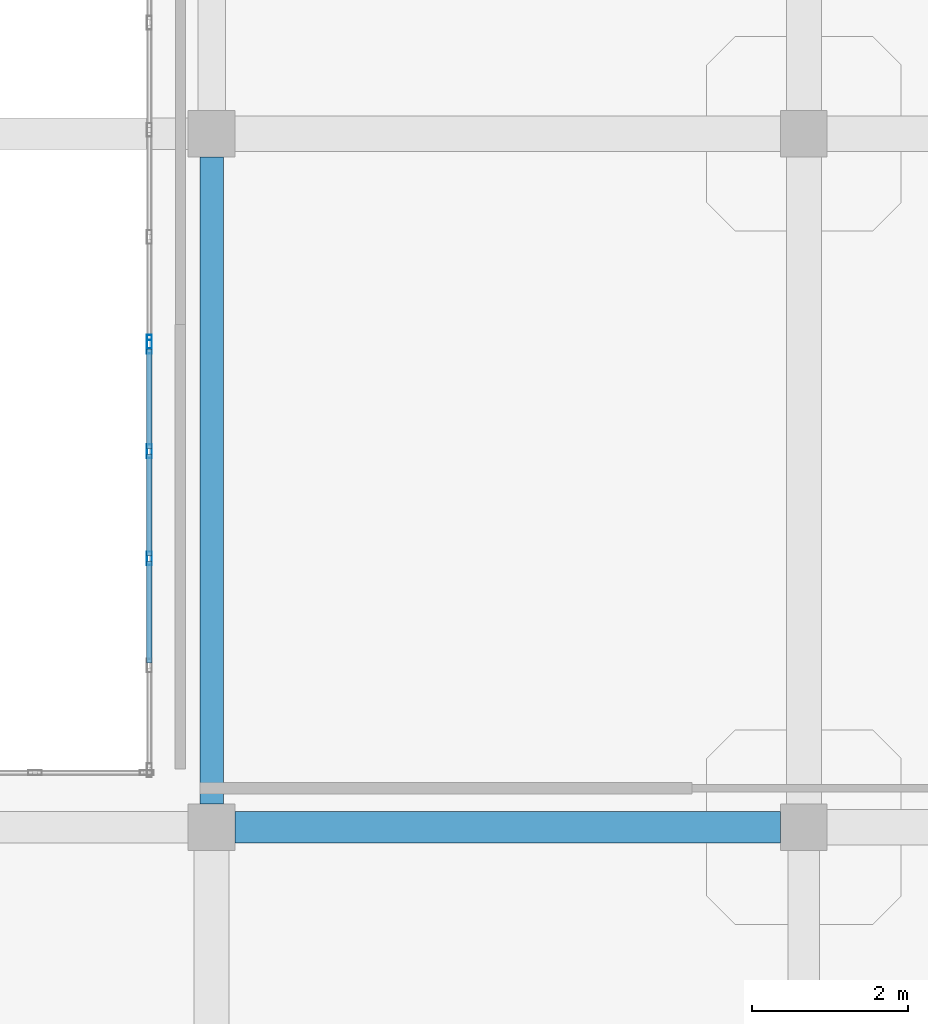
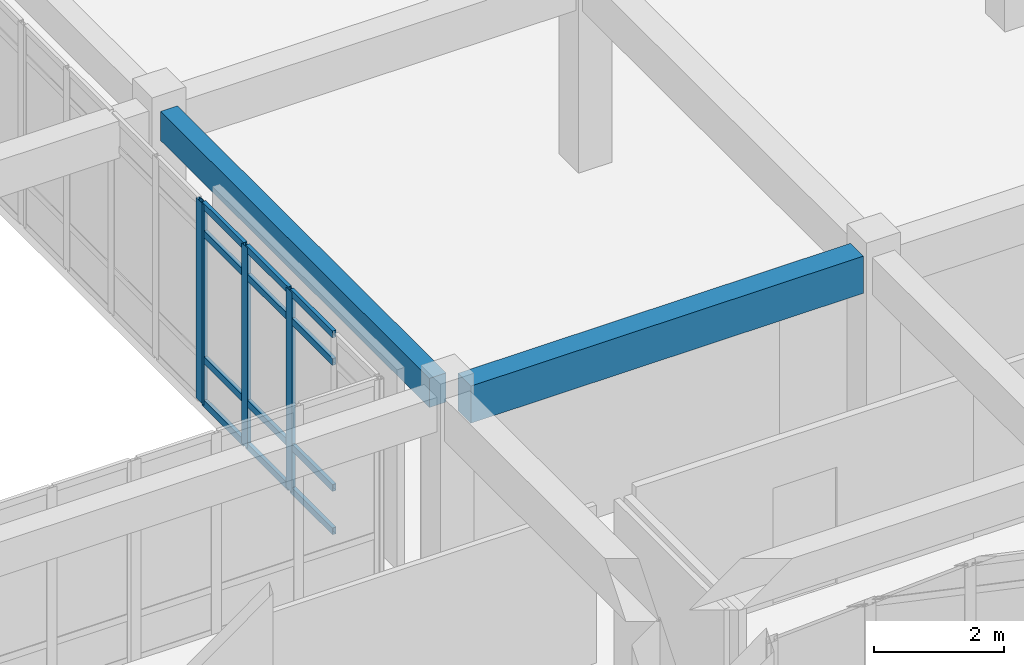
# One storey, part 49 of 91: 16 members, 2 beams, 2 elements without a shape of their own.
"""IFC4 building model written with IfcOpenShell, lengths in metres."""

from ifc_helpers import new_model, si_unit, direction, frame, origin, origin_2d, place, context, subcontext, project, spatial, rectangle, hollow_rectangle, extrude, material, layer, layer_set, material_profile, profile_set, type_object, element, aggregate, save


model = new_model("IFC4")

# Units and contexts
model_context = context("Model", 3, precision=1e-05, world=origin(), true_north=direction((0.0, 1.0)))
body_context = subcontext(model_context, "Body", "Model", "MODEL_VIEW")
ifc_project = project(units=[si_unit("LENGTHUNIT", "METRE"), si_unit("AREAUNIT", "SQUARE_METRE"), si_unit("VOLUMEUNIT", "CUBIC_METRE"), si_unit("PLANEANGLEUNIT", "RADIAN"), si_unit("MASSUNIT", "GRAM", prefix="KILO")], contexts=[model_context])

# Site, building, storey
site_placement = place(None, origin())
site = spatial("IfcSite", under=ifc_project, at=site_placement, CompositionType="ELEMENT")
building_placement = place(site_placement, origin())
building = spatial("IfcBuilding", under=site, at=building_placement, Name="Valcora Specialist Clinic", CompositionType="ELEMENT")
storey_placement = place(building_placement, frame((0.0, 0.0, 13.60009765625)))
storey = spatial("IfcBuildingStorey", under=building, at=storey_placement, Name="L03", CompositionType="ELEMENT", Elevation=13.60009765625)

# Beams
ifc_material_1 = material(Name="Concrete C40/50", Category="concrete")
ifc_material_profile_1 = material_profile(ifc_material_1, rectangle(XDim=0.300048828125, YDim=0.550048828125, at=origin_2d()), Name="RC-BM-300X550")
ifc_profile_set_1 = profile_set([ifc_material_profile_1], Name="Concrete C40/50")
beam_type_1 = type_object("IfcBeamType", Name="TY-BM-RC300X550", PredefinedType="BEAM", material=ifc_profile_set_1)
beam_1_placement = place(storey_placement, frame((90.800048828125, 81.60009765625, 3.5), z_axis=(0.0, 1.0, 0.0), x_axis=(-1.0, 0.0, 0.0)))
element("IfcBeam", 1, at=beam_1_placement, inside=storey, type_object=beam_type_1, Name="Beam BM-L03-0815", PredefinedType="BEAM", context=body_context, shape_type="SweptSolid", body=[
    extrude(rectangle(XDim=0.300048828125, YDim=0.550048828125, at=origin_2d()), origin(), (0.0, 0.0, 1.0), 8.2998046875),
])
ifc_material_profile_2 = material_profile(ifc_material_1, rectangle(XDim=0.39990234375, YDim=0.699951171875, at=origin_2d()), Name="RC-BM-400X700")
ifc_profile_set_2 = profile_set([ifc_material_profile_2], Name="Concrete C40/50")
beam_type_2 = type_object("IfcBeamType", Name="TY-BM-RC400X700", PredefinedType="BEAM", material=ifc_profile_set_2)
beam_2_placement = place(storey_placement, frame((91.10009765625, 81.300048828125, 3.4248046875), z_axis=(1.0, 0.0, 0.0), x_axis=(0.0, 1.0, 0.0)))
element("IfcBeam", 2, at=beam_2_placement, inside=storey, type_object=beam_type_2, Name="Beam BM-L03-0778", PredefinedType="BEAM", context=body_context, shape_type="SweptSolid", body=[
    extrude(rectangle(XDim=0.39990234375, YDim=0.699951171875, at=origin_2d()), origin(), (0.0, 0.0, 1.0), 7.0),
])

# Curtain wall, members
ifc_material_2 = material(Name="Anodized Bronze Aluminium 6063-T6", Category="aluminium")
ifc_layer = layer(ifc_material_2, 0.175048828125)
ifc_layer_set = layer_set([ifc_layer], Name="Anodized Bronze Aluminium 6063-T6")
curtain_wall_type = type_object("IfcCurtainWallType", Name="TY-CW-CRT15", PredefinedType="NOTDEFINED", material=ifc_layer_set)
curtain_wall_1_placement = place(storey_placement, origin())
curtain_wall_1 = element("IfcCurtainWall", 3, at=curtain_wall_1_placement, inside=storey, type_object=curtain_wall_type, Name="Curtain wall CW-L03-128", PredefinedType="NOTDEFINED")
ifc_material_profile_3 = material_profile(ifc_material_2, hollow_rectangle(XDim=0.06494140625, YDim=0.175048828125, WallThickness=0.00390625, at=origin_2d()), Name="AL-MUL-65X175")
ifc_profile_set_3 = profile_set([ifc_material_profile_3], Name="Anodized Bronze Aluminium 6063-T6")
member_type_1 = type_object("IfcMemberType", Name="TY-CWM-65X175", PredefinedType="MULLION", material=ifc_profile_set_3)
member_1_placement = place(storey_placement, frame((90.0, 84.75, 0.0), z_axis=(0.0, 0.0, 1.0), x_axis=(-1.0, 0.0, 0.0)))
member_1 = element("IfcMember", 4, at=member_1_placement, type_object=member_type_1, Name="CW-CRT-15 mullion 3", PredefinedType="MULLION", context=body_context, shape_type="SweptSolid", body=[
    extrude(hollow_rectangle(XDim=0.06494140625, YDim=0.175048828125, WallThickness=0.00390625, at=origin_2d()), origin(), (0.0, 0.0, 1.0), 3.77490234375),
])
member_2_placement = place(storey_placement, frame((90.0, 86.125, 0.0), z_axis=(0.0, 0.0, 1.0), x_axis=(-1.0, 0.0, 0.0)))
member_2 = element("IfcMember", 5, at=member_2_placement, type_object=member_type_1, Name="CW-CRT-15 mullion 4", PredefinedType="MULLION", context=body_context, shape_type="SweptSolid", body=[
    extrude(hollow_rectangle(XDim=0.06494140625, YDim=0.175048828125, WallThickness=0.00390625, at=origin_2d()), origin(), (0.0, 0.0, 1.0), 3.77490234375),
])
member_3_placement = place(storey_placement, frame((90.0, 87.467529296875, 0.0), z_axis=(0.0, 0.0, 1.0), x_axis=(-1.0, 0.0, 0.0)))
member_3 = element("IfcMember", 6, at=member_3_placement, type_object=member_type_1, Name="CW-CRT-15 mullion 5", PredefinedType="MULLION", context=body_context, shape_type="SweptSolid", body=[
    extrude(hollow_rectangle(XDim=0.06494140625, YDim=0.175048828125, WallThickness=0.00390625, at=origin_2d()), origin(), (0.0, 0.0, 1.0), 3.77490234375),
])

# Curtain wall, member
curtain_wall_2_placement = place(storey_placement, origin())
curtain_wall_2 = element("IfcCurtainWall", 7, at=curtain_wall_2_placement, inside=storey, type_object=curtain_wall_type, Name="Curtain wall CW-L03-129", PredefinedType="NOTDEFINED")
member_4_placement = place(storey_placement, frame((90.0, 87.532470703125, 0.0), z_axis=(0.0, 0.0, 1.0), x_axis=(-1.0, 0.0, 0.0)))
member_4 = element("IfcMember", 8, at=member_4_placement, type_object=member_type_1, Name="CW-CRT-15 mullion 1", PredefinedType="MULLION", context=body_context, shape_type="SweptSolid", body=[
    extrude(hollow_rectangle(XDim=0.06494140625, YDim=0.175048828125, WallThickness=0.00390625, at=origin_2d()), origin(), (0.0, 0.0, 1.0), 3.77490234375),
])
aggregate(curtain_wall_2, [member_4])

# Member
ifc_material_profile_4 = material_profile(ifc_material_2, hollow_rectangle(XDim=0.06494140625, YDim=0.1298828125, WallThickness=0.00390625, at=origin_2d()), Name="AL-TRN-65X130")
ifc_profile_set_4 = profile_set([ifc_material_profile_4], Name="Anodized Bronze Aluminium 6063-T6")
member_type_2 = type_object("IfcMemberType", Name="TY-CWT-65X130", PredefinedType="USERDEFINED", material=ifc_profile_set_4)
member_5_placement = place(storey_placement, frame((90.0, 83.407470703125, 0.032470703125), z_axis=(0.0, 1.0, 0.0), x_axis=(-1.0, 0.0, 0.0)))
member_5 = element("IfcMember", 9, at=member_5_placement, type_object=member_type_2, Name="CW-CRT-15 transom 2.1", ObjectType="TRANSOM", PredefinedType="USERDEFINED", context=body_context, shape_type="SweptSolid", body=[
    extrude(hollow_rectangle(XDim=0.06494140625, YDim=0.1298828125, WallThickness=0.00390625, at=origin_2d()), origin(), (0.0, 0.0, 1.0), 1.31005859375),
])

member_6_placement = place(storey_placement, frame((90.0, 83.407470703125, 0.849853515625), z_axis=(0.0, 1.0, 0.0), x_axis=(-1.0, 0.0, 0.0)))
member_6 = element("IfcMember", 10, at=member_6_placement, type_object=member_type_2, Name="CW-CRT-15 transom 2.2", ObjectType="TRANSOM", PredefinedType="USERDEFINED", context=body_context, shape_type="SweptSolid", body=[
    extrude(hollow_rectangle(XDim=0.06494140625, YDim=0.1298828125, WallThickness=0.00390625, at=origin_2d()), origin(), (0.0, 0.0, 1.0), 1.31005859375),
])

member_7_placement = place(storey_placement, frame((90.0, 83.407470703125, 3.224853515625), z_axis=(0.0, 1.0, 0.0), x_axis=(-1.0, 0.0, 0.0)))
member_7 = element("IfcMember", 11, at=member_7_placement, type_object=member_type_2, Name="CW-CRT-15 transom 2.3", ObjectType="TRANSOM", PredefinedType="USERDEFINED", context=body_context, shape_type="SweptSolid", body=[
    extrude(hollow_rectangle(XDim=0.06494140625, YDim=0.1298828125, WallThickness=0.00390625, at=origin_2d()), origin(), (0.0, 0.0, 1.0), 1.31005859375),
])

member_8_placement = place(storey_placement, frame((90.0, 83.407470703125, 3.742431640625), z_axis=(0.0, 1.0, 0.0), x_axis=(-1.0, 0.0, 0.0)))
member_8 = element("IfcMember", 12, at=member_8_placement, type_object=member_type_2, Name="CW-CRT-15 transom 2.4", ObjectType="TRANSOM", PredefinedType="USERDEFINED", context=body_context, shape_type="SweptSolid", body=[
    extrude(hollow_rectangle(XDim=0.06494140625, YDim=0.1298828125, WallThickness=0.00390625, at=origin_2d()), origin(), (0.0, 0.0, 1.0), 1.31005859375),
])

member_9_placement = place(storey_placement, frame((90.0, 84.782470703125, 0.032470703125), z_axis=(0.0, 1.0, 0.0), x_axis=(-1.0, 0.0, 0.0)))
member_9 = element("IfcMember", 13, at=member_9_placement, type_object=member_type_2, Name="CW-CRT-15 transom 3.1", ObjectType="TRANSOM", PredefinedType="USERDEFINED", context=body_context, shape_type="SweptSolid", body=[
    extrude(hollow_rectangle(XDim=0.06494140625, YDim=0.1298828125, WallThickness=0.00390625, at=origin_2d()), origin(), (0.0, 0.0, 1.0), 1.31005859375),
])

member_10_placement = place(storey_placement, frame((90.0, 84.782470703125, 0.849853515625), z_axis=(0.0, 1.0, 0.0), x_axis=(-1.0, 0.0, 0.0)))
member_10 = element("IfcMember", 14, at=member_10_placement, type_object=member_type_2, Name="CW-CRT-15 transom 3.2", ObjectType="TRANSOM", PredefinedType="USERDEFINED", context=body_context, shape_type="SweptSolid", body=[
    extrude(hollow_rectangle(XDim=0.06494140625, YDim=0.1298828125, WallThickness=0.00390625, at=origin_2d()), origin(), (0.0, 0.0, 1.0), 1.31005859375),
])

member_11_placement = place(storey_placement, frame((90.0, 84.782470703125, 3.224853515625), z_axis=(0.0, 1.0, 0.0), x_axis=(-1.0, 0.0, 0.0)))
member_11 = element("IfcMember", 15, at=member_11_placement, type_object=member_type_2, Name="CW-CRT-15 transom 3.3", ObjectType="TRANSOM", PredefinedType="USERDEFINED", context=body_context, shape_type="SweptSolid", body=[
    extrude(hollow_rectangle(XDim=0.06494140625, YDim=0.1298828125, WallThickness=0.00390625, at=origin_2d()), origin(), (0.0, 0.0, 1.0), 1.31005859375),
])

member_12_placement = place(storey_placement, frame((90.0, 84.782470703125, 3.742431640625), z_axis=(0.0, 1.0, 0.0), x_axis=(-1.0, 0.0, 0.0)))
member_12 = element("IfcMember", 16, at=member_12_placement, type_object=member_type_2, Name="CW-CRT-15 transom 3.4", ObjectType="TRANSOM", PredefinedType="USERDEFINED", context=body_context, shape_type="SweptSolid", body=[
    extrude(hollow_rectangle(XDim=0.06494140625, YDim=0.1298828125, WallThickness=0.00390625, at=origin_2d()), origin(), (0.0, 0.0, 1.0), 1.31005859375),
])

member_13_placement = place(storey_placement, frame((90.0, 86.157470703125, 0.032470703125), z_axis=(0.0, 1.0, 0.0), x_axis=(-1.0, 0.0, 0.0)))
member_13 = element("IfcMember", 17, at=member_13_placement, type_object=member_type_2, Name="CW-CRT-15 transom 4.1", ObjectType="TRANSOM", PredefinedType="USERDEFINED", context=body_context, shape_type="SweptSolid", body=[
    extrude(hollow_rectangle(XDim=0.06494140625, YDim=0.1298828125, WallThickness=0.00390625, at=origin_2d()), origin(), (0.0, 0.0, 1.0), 1.277587890625),
])

member_14_placement = place(storey_placement, frame((90.0, 86.157470703125, 0.849853515625), z_axis=(0.0, 1.0, 0.0), x_axis=(-1.0, 0.0, 0.0)))
member_14 = element("IfcMember", 18, at=member_14_placement, type_object=member_type_2, Name="CW-CRT-15 transom 4.2", ObjectType="TRANSOM", PredefinedType="USERDEFINED", context=body_context, shape_type="SweptSolid", body=[
    extrude(hollow_rectangle(XDim=0.06494140625, YDim=0.1298828125, WallThickness=0.00390625, at=origin_2d()), origin(), (0.0, 0.0, 1.0), 1.277587890625),
])

member_15_placement = place(storey_placement, frame((90.0, 86.157470703125, 3.224853515625), z_axis=(0.0, 1.0, 0.0), x_axis=(-1.0, 0.0, 0.0)))
member_15 = element("IfcMember", 19, at=member_15_placement, type_object=member_type_2, Name="CW-CRT-15 transom 4.3", ObjectType="TRANSOM", PredefinedType="USERDEFINED", context=body_context, shape_type="SweptSolid", body=[
    extrude(hollow_rectangle(XDim=0.06494140625, YDim=0.1298828125, WallThickness=0.00390625, at=origin_2d()), origin(), (0.0, 0.0, 1.0), 1.277587890625),
])

member_16_placement = place(storey_placement, frame((90.0, 86.157470703125, 3.742431640625), z_axis=(0.0, 1.0, 0.0), x_axis=(-1.0, 0.0, 0.0)))
member_16 = element("IfcMember", 20, at=member_16_placement, type_object=member_type_2, Name="CW-CRT-15 transom 4.4", ObjectType="TRANSOM", PredefinedType="USERDEFINED", context=body_context, shape_type="SweptSolid", body=[
    extrude(hollow_rectangle(XDim=0.06494140625, YDim=0.1298828125, WallThickness=0.00390625, at=origin_2d()), origin(), (0.0, 0.0, 1.0), 1.277587890625),
])

aggregate(curtain_wall_1, [member_1, member_2, member_3, member_5, member_6, member_7, member_8, member_9, member_10, member_11, member_12, member_13, member_14, member_15, member_16])

save(model, "model.ifc")
